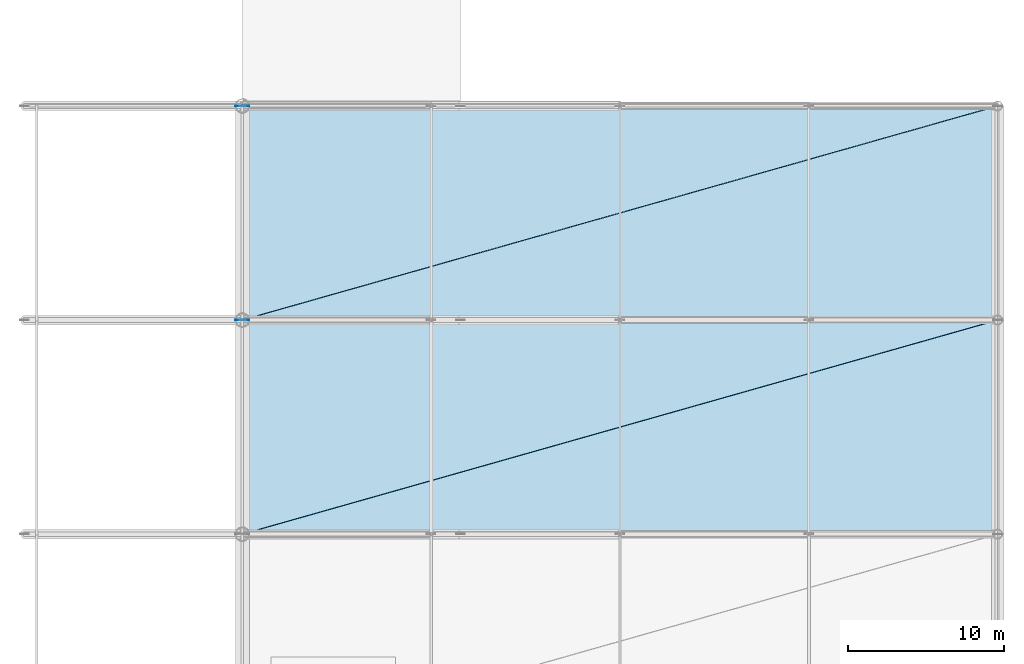
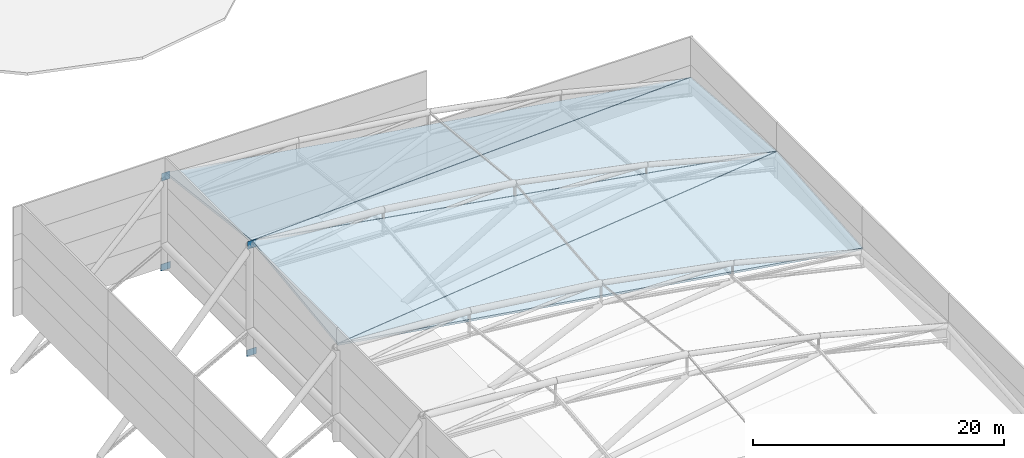
# One storey, part 30 of 36: 4 plates, 4 slabs.
"""IFC4 building model written with IfcOpenShell, lengths in metres."""

from ifc_helpers import new_model, si_unit, direction, frame, origin, origin_2d, place, context, subcontext, project, spatial, polyline, rectangle, outline, extrude, material, layer, layer_set, type_object, element, save


model = new_model("IFC4")

# Units and contexts
model_context = context("Model", 3, precision=1e-05, world=origin(), true_north=direction((0.0, 1.0)))
body_context = subcontext(model_context, "Body", "Model", "MODEL_VIEW")
ifc_project = project(units=[si_unit("LENGTHUNIT", "METRE"), si_unit("AREAUNIT", "SQUARE_METRE"), si_unit("VOLUMEUNIT", "CUBIC_METRE"), si_unit("PLANEANGLEUNIT", "RADIAN"), si_unit("MASSUNIT", "GRAM", prefix="KILO")], contexts=[model_context])

# Site, building, storey
site_placement = place(None, origin())
site = spatial("IfcSite", under=ifc_project, at=site_placement, CompositionType="ELEMENT")
building_placement = place(site_placement, origin())
building = spatial("IfcBuilding", under=site, at=building_placement, Name="Linyun Crest Stadium", CompositionType="ELEMENT")
storey_placement = place(building_placement, frame((0.0, 0.0, 31.60009765625)))
storey = spatial("IfcBuildingStorey", under=building, at=storey_placement, Name="RF", CompositionType="ELEMENT", Elevation=31.60009765625)

# Plates
ifc_material_1 = material(Name="Steel Q420C", Category="steel")
ifc_layer_1 = layer(ifc_material_1, 0.02392578125)
ifc_layer_set_1 = layer_set([ifc_layer_1], Name="Steel Q420C")
plate_type_1 = type_object("IfcPlateType", Name="EP02", PredefinedType="USERDEFINED", material=ifc_layer_set_1)
for number, where, z_axis, x_axis, name in (
    (1, (-84.0, 29.625, 10.02001953125), (0.0, 0.0, 1.0), (1.0, 0.0, 0.0), "Roof mast cap end plate EP02 79"),
    (2, (-84.0, 43.375, 8.31982421875), (0.0, 0.0, 1.0), (1.0, 0.0, 0.0), "Roof mast cap end plate EP02 92"),
):
    element("IfcPlate", number, at=place(storey_placement, frame(where, z_axis=z_axis, x_axis=x_axis)), inside=storey, type_object=plate_type_1, Name=name, ObjectType="END PLATE", PredefinedType="USERDEFINED", context=body_context, shape_type="SweptSolid", body=[
        extrude(rectangle(XDim=0.760009765625, YDim=0.02392578125, at=origin_2d()), origin(), (0.0, 0.0, 1.0), 0.760009765625),
    ])
ifc_material_2 = material(Name="Steel Q420C", Category="steel")
ifc_layer_2 = layer(ifc_material_2, 0.031982421875)
ifc_layer_set_2 = layer_set([ifc_layer_2], Name="Steel Q420C")
plate_type_2 = type_object("IfcPlateType", Name="NP03", PredefinedType="USERDEFINED", material=ifc_layer_set_2)
for number, where, z_axis, x_axis, name in (
    (3, (-84.0, 29.625, -0.41015625), (0.0, 0.0, 1.0), (1.0, 0.0, 0.0), "Roof mast base gusset plate NP03 80"),
    (4, (-84.0, 43.375, -0.41015625), (0.0, 0.0, 1.0), (1.0, 0.0, 0.0), "Roof mast base gusset plate NP03 93"),
):
    element("IfcPlate", number, at=place(storey_placement, frame(where, z_axis=z_axis, x_axis=x_axis)), inside=storey, type_object=plate_type_2, Name=name, ObjectType="GUSSET PLATE", PredefinedType="USERDEFINED", context=body_context, shape_type="SweptSolid", body=[
        extrude(rectangle(XDim=0.89990234375, YDim=0.031982421875, at=origin_2d()), origin(), (0.0, 0.0, 1.0), 0.64990234375),
    ])

# Slabs
ifc_material_3 = material(Name="Concrete C40", Category="concrete")
ifc_layer_3 = layer(ifc_material_3, 0.205078125)
ifc_layer_set_3 = layer_set([ifc_layer_3], Name="Concrete C40")
slab_type_1 = type_object("IfcSlabType", Name="RS01", PredefinedType="ROOF", material=ifc_layer_set_3)
slab_1_placement = place(storey_placement, frame((-83.95703125, 15.89990234375, 9.0556640625), z_axis=(0.166403985393, -0.120991855615, 0.978606501368), x_axis=(0.000371102243, 0.992451097525, 0.12264045542)))
element("IfcSlab", 5, at=slab_1_placement, inside=storey, type_object=slab_type_1, Name="Wave canopy roof deck RS01 V1 11", PredefinedType="ROOF", context=body_context, shape_type="SweptSolid", body=[
    extrude(outline(polyline([(0.0, 0.0), (13.81547330122875, 5.551115123125783e-17), (12.830951002267827, -49.086606289850366), (0.0, 0.0)])), origin(), (0.0, 0.0, -1.0), 0.205078125),
])
slab_2_placement = place(storey_placement, frame((-83.95703125, 29.64990234375, 10.75), z_axis=(0.154697827667, 0.121227494314, 0.980496036064), x_axis=(0.00037109661, 0.992436034081, -0.12276229285)))
element("IfcSlab", 6, at=slab_2_placement, inside=storey, type_object=slab_type_1, Name="Wave canopy roof deck RS01 V1 13", PredefinedType="ROOF", context=body_context, shape_type="SweptSolid", body=[
    extrude(outline(polyline([(0.0, 0.0), (13.815682995960728, 5.551115123125783e-17), (14.778020008536348, -48.991266848539524), (0.0, 0.0)])), origin(), (0.0, 0.0, -1.0), 0.205078125),
])
ifc_material_4 = material(Name="Concrete C40", Category="concrete")
ifc_layer_4 = layer(ifc_material_4, 0.215087890625)
ifc_layer_set_4 = layer_set([ifc_layer_4], Name="Concrete C40")
slab_type_2 = type_object("IfcSlabType", Name="RS02", PredefinedType="ROOF", material=ifc_layer_set_4)
slab_3_placement = place(storey_placement, frame((-83.949951171875, 15.882080078125, 9.052734375), z_axis=(0.15536175237, -0.079150327085, 0.984681649886), x_axis=(0.954098453325, 0.270381228062, -0.128802689699)))
element("IfcSlab", 7, at=slab_3_placement, inside=storey, type_object=slab_type_2, Name="Wave canopy roof deck RS02 V1 12", PredefinedType="ROOF", context=body_context, shape_type="SweptSolid", body=[
    extrude(outline(polyline([(0.0, 0.0), (50.73583575484608, -2.4424906541753444e-15), (47.165550773534825, -13.28391868195452), (0.0, 0.0)])), origin(), (0.0, 0.0, -1.0), 0.215087890625),
])
slab_4_placement = place(storey_placement, frame((-83.949951171875, 29.632080078125, 10.7509765625), z_axis=(0.167113232306, 0.078981121292, 0.982769123481), x_axis=(0.945972508906, 0.268078422912, -0.182400579942)))
element("IfcSlab", 8, at=slab_4_placement, inside=storey, type_object=slab_type_2, Name="Wave canopy roof deck RS02 V1 14", PredefinedType="ROOF", context=body_context, shape_type="SweptSolid", body=[
    extrude(outline(polyline([(0.0, 0.0), (51.171658759788635, -1.2212453270876722e-15), (47.28998855679638, -13.196412220605916), (0.0, 0.0)])), origin(), (0.0, 0.0, -1.0), 0.215087890625),
])

save(model, "model.ifc")
